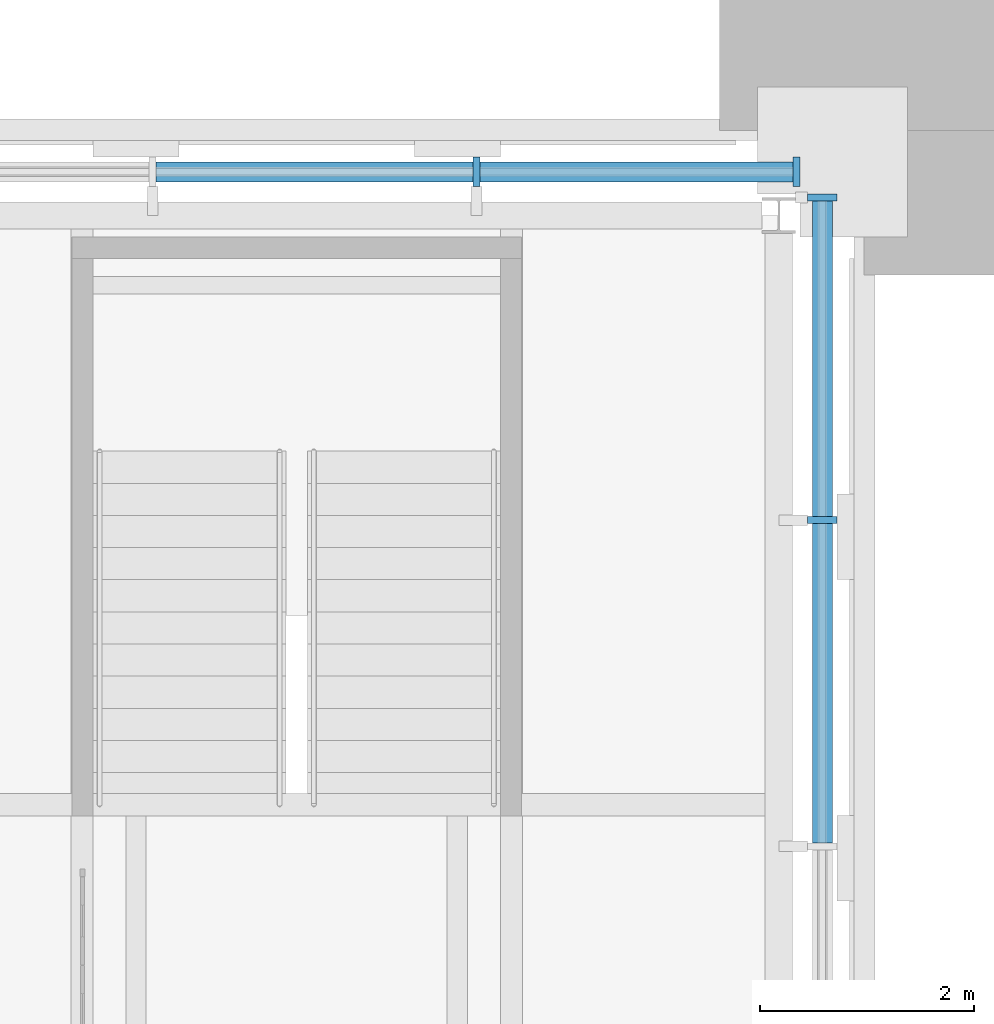
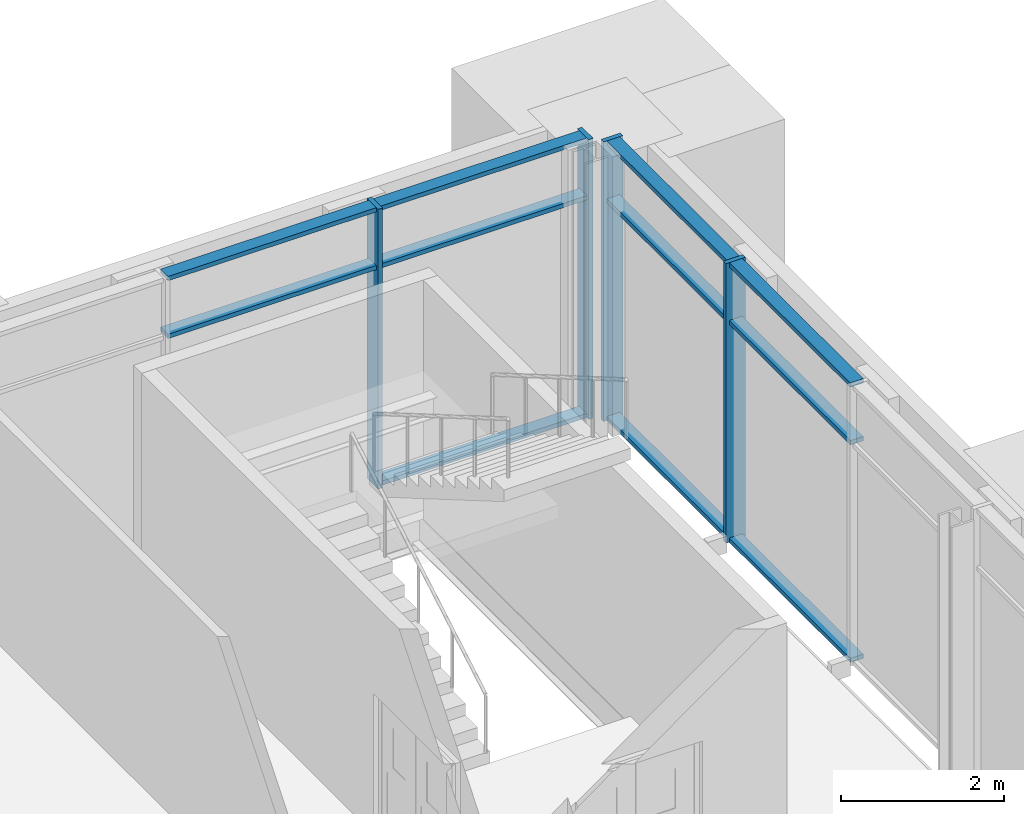
# One storey, part 8 of 22: 15 members, 2 elements without a shape of their own.
"""IFC4 building model written with IfcOpenShell, lengths in metres."""

from ifc_helpers import new_model, si_unit, direction, frame, origin, origin_2d, place, context, subcontext, project, spatial, rectangle, extrude, material, material_profile, profile_set, type_object, element, aggregate, save


model = new_model("IFC4")

# Units and contexts
model_context = context("Model", 3, precision=1e-05, world=origin(), true_north=direction((0.0, 1.0)))
body_context = subcontext(model_context, "Body", "Model", "MODEL_VIEW")
ifc_project = project(units=[si_unit("LENGTHUNIT", "METRE"), si_unit("AREAUNIT", "SQUARE_METRE"), si_unit("VOLUMEUNIT", "CUBIC_METRE"), si_unit("PLANEANGLEUNIT", "RADIAN"), si_unit("MASSUNIT", "GRAM", prefix="KILO")], contexts=[model_context])

# Site, building, storey
site_placement = place(None, origin())
site = spatial("IfcSite", under=ifc_project, at=site_placement, CompositionType="ELEMENT")
building_placement = place(site_placement, origin())
building = spatial("IfcBuilding", under=site, at=building_placement, Name="Baradari Gate Terminus", CompositionType="ELEMENT")
storey_placement = place(building_placement, frame((0.0, 0.0, 28.5)))
storey = spatial("IfcBuildingStorey", under=building, at=storey_placement, Name="L06", CompositionType="ELEMENT", Elevation=28.5)

# Curtain wall, members
ifc_material_1 = material(Name="Aluminium 6063-T6", Category="aluminium")
curtain_wall_type = type_object("IfcCurtainWallType", Name="Curtain wall CW-12 block arcade floors, L06-L07", PredefinedType="NOTDEFINED", material=ifc_material_1)
curtain_wall_1_placement = place(storey_placement, origin())
curtain_wall_1 = element("IfcCurtainWall", 1, at=curtain_wall_1_placement, inside=storey, type_object=curtain_wall_type, Name="Curtain wall CW-12 Operations block E face L06", PredefinedType="NOTDEFINED")
ifc_material_2 = material(Name="Aluminium 6063-T6", Category="aluminium")
ifc_material_profile_1 = material_profile(ifc_material_2, rectangle(XDim=0.27490234375, YDim=0.06494140625, at=origin_2d()), Name="CM-12 65X275")
ifc_profile_set_1 = profile_set([ifc_material_profile_1], Name="Aluminium 6063-T6")
member_type_1 = type_object("IfcMemberType", Name="Curtain wall mullion CM-12 65x275", PredefinedType="MULLION", material=ifc_profile_set_1)
member_1_placement = place(storey_placement, frame((63.407470703125, 141.155517578125, 0.0), z_axis=(0.0, 0.0, 1.0), x_axis=(-1.0, 0.0, 0.0)))
member_1 = element("IfcMember", 2, at=member_1_placement, type_object=member_type_1, Name="CW-12 mullion 9", PredefinedType="MULLION", context=body_context, shape_type="SweptSolid", body=[
    extrude(rectangle(XDim=0.27490234375, YDim=0.06494140625, at=origin_2d()), origin(), (0.0, 0.0, 1.0), 4.199951171875),
])
member_2_placement = place(storey_placement, frame((63.407470703125, 144.16748046875, 0.0), z_axis=(0.0, 0.0, 1.0), x_axis=(-1.0, 0.0, 0.0)))
member_2 = element("IfcMember", 3, at=member_2_placement, type_object=member_type_1, Name="CW-12 mullion 10", PredefinedType="MULLION", context=body_context, shape_type="SweptSolid", body=[
    extrude(rectangle(XDim=0.27490234375, YDim=0.06494140625, at=origin_2d()), origin(), (0.0, 0.0, 1.0), 4.199951171875),
])

curtain_wall_2_placement = place(storey_placement, origin())
curtain_wall_2 = element("IfcCurtainWall", 4, at=curtain_wall_2_placement, inside=storey, type_object=curtain_wall_type, Name="Curtain wall CW-12 Operations block N face L06", PredefinedType="NOTDEFINED")
member_3_placement = place(storey_placement, frame((63.16748046875, 144.407470703125, 0.0), z_axis=(0.0, 0.0, 1.0), x_axis=(0.0, -1.0, 0.0)))
member_3 = element("IfcMember", 5, at=member_3_placement, type_object=member_type_1, Name="CW-12 mullion 1", PredefinedType="MULLION", context=body_context, shape_type="SweptSolid", body=[
    extrude(rectangle(XDim=0.27490234375, YDim=0.06494140625, at=origin_2d()), origin(), (0.0, 0.0, 1.0), 4.199951171875),
])
member_4_placement = place(storey_placement, frame((60.177734375, 144.407470703125, 0.0), z_axis=(0.0, 0.0, 1.0), x_axis=(0.0, -1.0, 0.0)))
member_4 = element("IfcMember", 6, at=member_4_placement, type_object=member_type_1, Name="CW-12 mullion 2", PredefinedType="MULLION", context=body_context, shape_type="SweptSolid", body=[
    extrude(rectangle(XDim=0.27490234375, YDim=0.06494140625, at=origin_2d()), origin(), (0.0, 0.0, 1.0), 4.199951171875),
])

# Member
ifc_material_3 = material(Name="Aluminium 6063-T6", Category="aluminium")
ifc_material_profile_2 = material_profile(ifc_material_3, rectangle(XDim=0.18505859375, YDim=0.06494140625, at=origin_2d()), Name="CT-12 65X185")
ifc_profile_set_2 = profile_set([ifc_material_profile_2], Name="Aluminium 6063-T6")
member_type_2 = type_object("IfcMemberType", Name="Curtain wall transom CT-12 65x185", PredefinedType="USERDEFINED", material=ifc_profile_set_2)
member_5_placement = place(storey_placement, frame((63.407470703125, 138.1435546875, 0.032470703125), z_axis=(0.0, 1.0, 0.0), x_axis=(-1.0, 0.0, 0.0)))
member_5 = element("IfcMember", 7, at=member_5_placement, type_object=member_type_2, Name="CW-12 transom 8.1", ObjectType="TRANSOM", PredefinedType="USERDEFINED", context=body_context, shape_type="SweptSolid", body=[
    extrude(rectangle(XDim=0.18505859375, YDim=0.06494140625, at=origin_2d()), origin(), (0.0, 0.0, 1.0), 2.9794921875),
])

member_6_placement = place(storey_placement, frame((63.407470703125, 138.1435546875, 3.300048828125), z_axis=(0.0, 1.0, 0.0), x_axis=(-1.0, 0.0, 0.0)))
member_6 = element("IfcMember", 8, at=member_6_placement, type_object=member_type_2, Name="CW-12 transom 8.2", ObjectType="TRANSOM", PredefinedType="USERDEFINED", context=body_context, shape_type="SweptSolid", body=[
    extrude(rectangle(XDim=0.18505859375, YDim=0.06494140625, at=origin_2d()), origin(), (0.0, 0.0, 1.0), 2.9794921875),
])

member_7_placement = place(storey_placement, frame((63.407470703125, 138.1435546875, 4.16748046875), z_axis=(0.0, 1.0, 0.0), x_axis=(-1.0, 0.0, 0.0)))
member_7 = element("IfcMember", 9, at=member_7_placement, type_object=member_type_2, Name="CW-12 transom 8.3", ObjectType="TRANSOM", PredefinedType="USERDEFINED", context=body_context, shape_type="SweptSolid", body=[
    extrude(rectangle(XDim=0.18505859375, YDim=0.06494140625, at=origin_2d()), origin(), (0.0, 0.0, 1.0), 2.9794921875),
])

member_8_placement = place(storey_placement, frame((63.407470703125, 141.18798828125, 0.032470703125), z_axis=(0.0, 1.0, 0.0), x_axis=(-1.0, 0.0, 0.0)))
member_8 = element("IfcMember", 10, at=member_8_placement, type_object=member_type_2, Name="CW-12 transom 9.1", ObjectType="TRANSOM", PredefinedType="USERDEFINED", context=body_context, shape_type="SweptSolid", body=[
    extrude(rectangle(XDim=0.18505859375, YDim=0.06494140625, at=origin_2d()), origin(), (0.0, 0.0, 1.0), 2.947021484375),
])

member_9_placement = place(storey_placement, frame((63.407470703125, 141.18798828125, 3.300048828125), z_axis=(0.0, 1.0, 0.0), x_axis=(-1.0, 0.0, 0.0)))
member_9 = element("IfcMember", 11, at=member_9_placement, type_object=member_type_2, Name="CW-12 transom 9.2", ObjectType="TRANSOM", PredefinedType="USERDEFINED", context=body_context, shape_type="SweptSolid", body=[
    extrude(rectangle(XDim=0.18505859375, YDim=0.06494140625, at=origin_2d()), origin(), (0.0, 0.0, 1.0), 2.947021484375),
])

member_10_placement = place(storey_placement, frame((63.407470703125, 141.18798828125, 4.16748046875), z_axis=(0.0, 1.0, 0.0), x_axis=(-1.0, 0.0, 0.0)))
member_10 = element("IfcMember", 12, at=member_10_placement, type_object=member_type_2, Name="CW-12 transom 9.3", ObjectType="TRANSOM", PredefinedType="USERDEFINED", context=body_context, shape_type="SweptSolid", body=[
    extrude(rectangle(XDim=0.18505859375, YDim=0.06494140625, at=origin_2d()), origin(), (0.0, 0.0, 1.0), 2.947021484375),
])

aggregate(curtain_wall_1, [member_1, member_2, member_5, member_6, member_7, member_8, member_9, member_10])

member_11_placement = place(storey_placement, frame((63.135009765625, 144.407470703125, 0.032470703125), z_axis=(-1.0, 0.0, 0.0), x_axis=(0.0, -1.0, 0.0)))
member_11 = element("IfcMember", 13, at=member_11_placement, type_object=member_type_2, Name="CW-12 transom 1.1", ObjectType="TRANSOM", PredefinedType="USERDEFINED", context=body_context, shape_type="SweptSolid", body=[
    extrude(rectangle(XDim=0.18505859375, YDim=0.06494140625, at=origin_2d()), origin(), (0.0, 0.0, 1.0), 2.9248046875),
])

member_12_placement = place(storey_placement, frame((63.135009765625, 144.407470703125, 3.300048828125), z_axis=(-1.0, 0.0, 0.0), x_axis=(0.0, -1.0, 0.0)))
member_12 = element("IfcMember", 14, at=member_12_placement, type_object=member_type_2, Name="CW-12 transom 1.2", ObjectType="TRANSOM", PredefinedType="USERDEFINED", context=body_context, shape_type="SweptSolid", body=[
    extrude(rectangle(XDim=0.18505859375, YDim=0.06494140625, at=origin_2d()), origin(), (0.0, 0.0, 1.0), 2.9248046875),
])

member_13_placement = place(storey_placement, frame((63.135009765625, 144.407470703125, 4.16748046875), z_axis=(-1.0, 0.0, 0.0), x_axis=(0.0, -1.0, 0.0)))
member_13 = element("IfcMember", 15, at=member_13_placement, type_object=member_type_2, Name="CW-12 transom 1.3", ObjectType="TRANSOM", PredefinedType="USERDEFINED", context=body_context, shape_type="SweptSolid", body=[
    extrude(rectangle(XDim=0.18505859375, YDim=0.06494140625, at=origin_2d()), origin(), (0.0, 0.0, 1.0), 2.9248046875),
])

member_14_placement = place(storey_placement, frame((60.145263671875, 144.407470703125, 3.300048828125), z_axis=(-1.0, 0.0, 0.0), x_axis=(0.0, -1.0, 0.0)))
member_14 = element("IfcMember", 16, at=member_14_placement, type_object=member_type_2, Name="CW-12 transom 2.2", ObjectType="TRANSOM", PredefinedType="USERDEFINED", context=body_context, shape_type="SweptSolid", body=[
    extrude(rectangle(XDim=0.18505859375, YDim=0.06494140625, at=origin_2d()), origin(), (0.0, 0.0, 1.0), 2.957275390625),
])

member_15_placement = place(storey_placement, frame((60.145263671875, 144.407470703125, 4.16748046875), z_axis=(-1.0, 0.0, 0.0), x_axis=(0.0, -1.0, 0.0)))
member_15 = element("IfcMember", 17, at=member_15_placement, type_object=member_type_2, Name="CW-12 transom 2.3", ObjectType="TRANSOM", PredefinedType="USERDEFINED", context=body_context, shape_type="SweptSolid", body=[
    extrude(rectangle(XDim=0.18505859375, YDim=0.06494140625, at=origin_2d()), origin(), (0.0, 0.0, 1.0), 2.957275390625),
])

aggregate(curtain_wall_2, [member_3, member_4, member_11, member_12, member_13, member_14, member_15])

save(model, "model.ifc")
